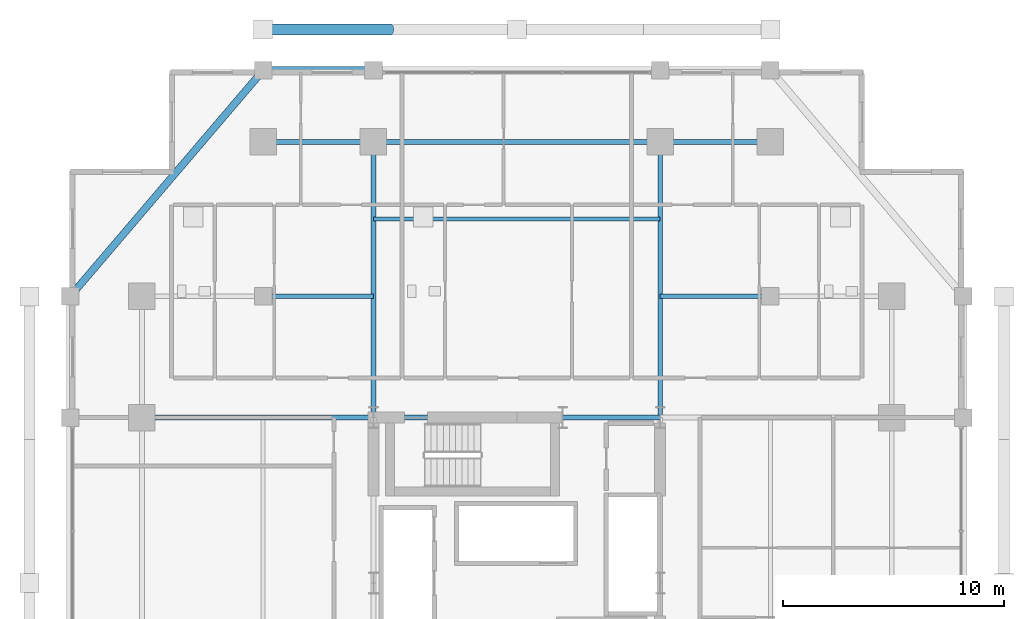
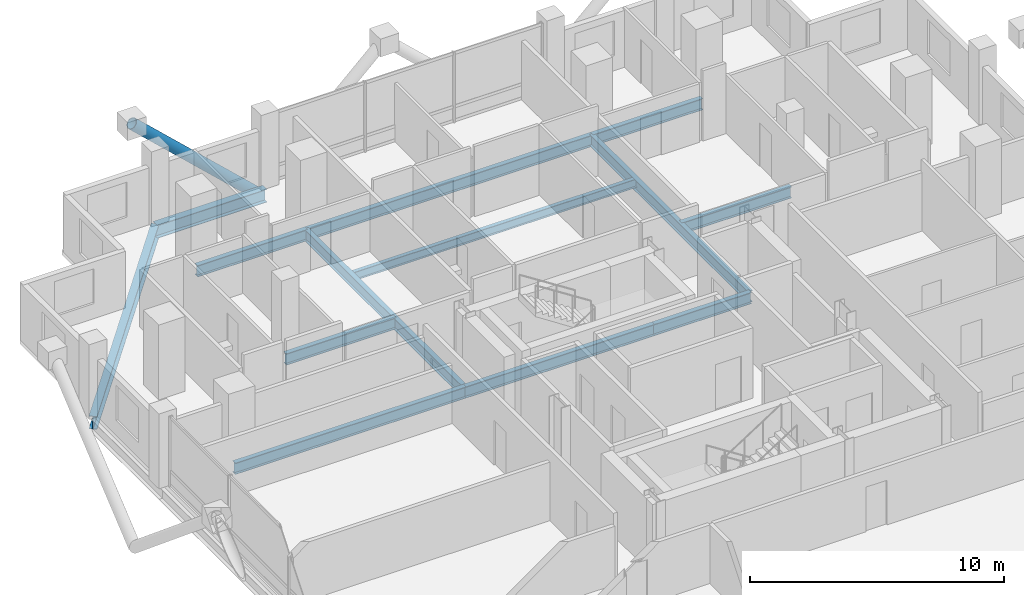
# One storey, part 12 of 22: 13 beams, 1 member.
"""IFC4 building model written with IfcOpenShell, lengths in metres."""

from ifc_helpers import new_model, si_unit, direction, frame, origin, origin_2d, place, context, subcontext, project, spatial, hollow_circle, i_section, extrude, material, material_profile, profile_set, type_object, element, save


model = new_model("IFC4")

# Units and contexts
model_context = context("Model", 3, precision=1e-05, world=origin(), true_north=direction((0.0, 1.0)))
body_context = subcontext(model_context, "Body", "Model", "MODEL_VIEW")
ifc_project = project(units=[si_unit("LENGTHUNIT", "METRE"), si_unit("AREAUNIT", "SQUARE_METRE"), si_unit("VOLUMEUNIT", "CUBIC_METRE"), si_unit("PLANEANGLEUNIT", "RADIAN"), si_unit("MASSUNIT", "GRAM", prefix="KILO")], contexts=[model_context])

# Site, building, storey
site_placement = place(None, origin())
site = spatial("IfcSite", under=ifc_project, at=site_placement, CompositionType="ELEMENT")
building_placement = place(site_placement, origin())
building = spatial("IfcBuilding", under=site, at=building_placement, Name="Barlavira Tower and Art Museum", CompositionType="ELEMENT")
storey_placement = place(building_placement, frame((0.0, 0.0, 106.199951171875)))
storey = spatial("IfcBuildingStorey", under=building, at=storey_placement, Name="L26", CompositionType="ELEMENT", Elevation=106.199951171875)

# Member
ifc_material = material(Name="Steel S355", Category="steel")
ifc_material_profile_1 = material_profile(ifc_material, hollow_circle(Radius=0.25390625, WallThickness=0.022216796875, at=origin_2d()), Name="CHS 508.0x22.2")
ifc_profile_set_1 = profile_set([ifc_material_profile_1], Name="Steel S355")
member_type = type_object("IfcMemberType", Name="Pale-Metal Exoskeleton Diagrid Tube CHS 508x22 Steel S355", PredefinedType="BRACE", material=ifc_profile_set_1)
member_placement = place(storey_placement, frame((-5.75, 25.10009765625, -1.919921875), z_axis=(-0.728950095515, 0.0, 0.684566839869), x_axis=(0.0, -1.0, 0.0)))
element("IfcMember", 1, at=member_placement, inside=storey, type_object=member_type, Name="L26 Exoskeleton Diagrid Tube N", PredefinedType="BRACE", context=body_context, shape_type="SweptSolid", body=[
    extrude(hollow_circle(Radius=0.25390625, WallThickness=0.022216796875, at=origin_2d()), origin(), (0.0, 0.0, 1.0), 7.887939453125),
])

# Beams
ifc_material_profile_2 = material_profile(ifc_material, i_section(OverallWidth=0.327880859375, OverallDepth=0.62890625, WebThickness=0.013916015625, FlangeThickness=0.021484375, at=origin_2d()), Name="W610x174.0")
ifc_profile_set_2 = profile_set([ifc_material_profile_2], Name="Steel S355")
beam_type_1 = type_object("IfcBeamType", Name="Perimeter Spandrel Edge Beam W610x174 Steel S355", PredefinedType="SPANDREL", material=ifc_profile_set_2)
beam_1_placement = place(storey_placement, frame((-11.5, 23.25, -0.534423828125), z_axis=(1.0, 0.0, 0.0), x_axis=(0.0, 1.0, 0.0)))
element("IfcBeam", 2, at=beam_1_placement, inside=storey, type_object=beam_type_1, Name="L26 Spandrel 11", PredefinedType="SPANDREL", context=body_context, shape_type="SweptSolid", body=[
    extrude(i_section(OverallWidth=0.327880859375, OverallDepth=0.62890625, WebThickness=0.013916015625, FlangeThickness=0.021484375, at=origin_2d()), origin(), (0.0, 0.0, 1.0), 5.0),
])
beam_2_placement = place(storey_placement, frame((-11.5, 23.25, -0.534423828125), z_axis=(-0.649262379928, -0.760564502202, 0.0), x_axis=(0.760564502202, -0.649262379928, 0.0)))
element("IfcBeam", 3, at=beam_2_placement, inside=storey, type_object=beam_type_1, Name="L26 Spandrel 12", PredefinedType="SPANDREL", context=body_context, shape_type="SweptSolid", body=[
    extrude(i_section(OverallWidth=0.327880859375, OverallDepth=0.62890625, WebThickness=0.013916015625, FlangeThickness=0.021484375, at=origin_2d()), origin(), (0.0, 0.0, 1.0), 13.476806640625),
])
ifc_material_profile_3 = material_profile(ifc_material, i_section(OverallWidth=0.214111328125, OverallDepth=0.549072265625, WebThickness=0.0146484375, FlangeThickness=0.023681640625, at=origin_2d()), Name="W530x138.0")
ifc_profile_set_3 = profile_set([ifc_material_profile_3], Name="Steel S355")
beam_type_2 = type_object("IfcBeamType", Name="Zone 1 Primary Floor Girder W530x138 Steel S355", PredefinedType="BEAM", material=ifc_profile_set_3)
beam_3_placement = place(storey_placement, frame((-6.5, 7.5, -0.494384765625), z_axis=(1.0, 0.0, 0.0), x_axis=(0.0, 1.0, 0.0)))
element("IfcBeam", 4, at=beam_3_placement, inside=storey, type_object=beam_type_2, Name="L26 Girder C-N1", PredefinedType="BEAM", context=body_context, shape_type="SweptSolid", body=[
    extrude(i_section(OverallWidth=0.214111328125, OverallDepth=0.549072265625, WebThickness=0.0146484375, FlangeThickness=0.023681640625, at=origin_2d()), origin(), (0.0, 0.0, 1.0), 8.580078125),
])
beam_4_placement = place(storey_placement, frame((2.080078125, 7.5, -0.494384765625), z_axis=(1.0, 0.0, 0.0), x_axis=(0.0, 1.0, 0.0)))
element("IfcBeam", 5, at=beam_4_placement, inside=storey, type_object=beam_type_2, Name="L26 Girder C-N2", PredefinedType="BEAM", context=body_context, shape_type="SweptSolid", body=[
    extrude(i_section(OverallWidth=0.214111328125, OverallDepth=0.549072265625, WebThickness=0.0146484375, FlangeThickness=0.023681640625, at=origin_2d()), origin(), (0.0, 0.0, 1.0), 4.419921875),
])
beam_5_placement = place(storey_placement, frame((-11.5, 20.0, -0.494384765625), z_axis=(1.0, 0.0, 0.0), x_axis=(0.0, 1.0, 0.0)))
element("IfcBeam", 6, at=beam_5_placement, inside=storey, type_object=beam_type_2, Name="L26 Girder M-N1", PredefinedType="BEAM", context=body_context, shape_type="SweptSolid", body=[
    extrude(i_section(OverallWidth=0.214111328125, OverallDepth=0.549072265625, WebThickness=0.0146484375, FlangeThickness=0.023681640625, at=origin_2d()), origin(), (0.0, 0.0, 1.0), 5.0),
])
beam_6_placement = place(storey_placement, frame((-6.5, 20.0, -0.494384765625), z_axis=(1.0, 0.0, 0.0), x_axis=(0.0, 1.0, 0.0)))
element("IfcBeam", 7, at=beam_6_placement, inside=storey, type_object=beam_type_2, Name="L26 Girder M-N2", PredefinedType="BEAM", context=body_context, shape_type="SweptSolid", body=[
    extrude(i_section(OverallWidth=0.214111328125, OverallDepth=0.549072265625, WebThickness=0.0146484375, FlangeThickness=0.023681640625, at=origin_2d()), origin(), (0.0, 0.0, 1.0), 13.0),
])
beam_7_placement = place(storey_placement, frame((6.5, 20.0, -0.494384765625), z_axis=(1.0, 0.0, 0.0), x_axis=(0.0, 1.0, 0.0)))
element("IfcBeam", 8, at=beam_7_placement, inside=storey, type_object=beam_type_2, Name="L26 Girder M-N3", PredefinedType="BEAM", context=body_context, shape_type="SweptSolid", body=[
    extrude(i_section(OverallWidth=0.214111328125, OverallDepth=0.549072265625, WebThickness=0.0146484375, FlangeThickness=0.023681640625, at=origin_2d()), origin(), (0.0, 0.0, 1.0), 5.0),
])
for number, where, z_axis, x_axis, name in (
    (9, (-6.5, 7.5, -0.494384765625), (0.0, 1.0, 0.0), (-1.0, 0.0, 0.0), "L26 Girder R-N1"),
    (10, (6.5, 7.5, -0.494384765625), (0.0, 1.0, 0.0), (-1.0, 0.0, 0.0), "L26 Girder R-N2"),
):
    element("IfcBeam", number, at=place(storey_placement, frame(where, z_axis=z_axis, x_axis=x_axis)), inside=storey, type_object=beam_type_2, Name=name, PredefinedType="BEAM", context=body_context, shape_type="SweptSolid", body=[
        extrude(i_section(OverallWidth=0.214111328125, OverallDepth=0.549072265625, WebThickness=0.0146484375, FlangeThickness=0.023681640625, at=origin_2d()), origin(), (0.0, 0.0, 1.0), 12.5),
    ])
beam_8_placement = place(storey_placement, frame((-17.0, 7.5, -0.494384765625), z_axis=(1.0, 0.0, 0.0), x_axis=(0.0, 1.0, 0.0)))
element("IfcBeam", 11, at=beam_8_placement, inside=storey, type_object=beam_type_2, Name="L26 Girder R-W2", PredefinedType="BEAM", context=body_context, shape_type="SweptSolid", body=[
    extrude(i_section(OverallWidth=0.214111328125, OverallDepth=0.549072265625, WebThickness=0.0146484375, FlangeThickness=0.023681640625, at=origin_2d()), origin(), (0.0, 0.0, 1.0), 10.5),
])
for number, where, z_axis, x_axis, name in (
    (12, (-11.5, 13.0, -0.494384765625), (1.0, 0.0, 0.0), (0.0, 1.0, 0.0), "L26 Girder I-N2"),
    (13, (6.5, 13.0, -0.494384765625), (1.0, 0.0, 0.0), (0.0, 1.0, 0.0), "L26 Girder I-N3"),
):
    element("IfcBeam", number, at=place(storey_placement, frame(where, z_axis=z_axis, x_axis=x_axis)), inside=storey, type_object=beam_type_2, Name=name, PredefinedType="BEAM", context=body_context, shape_type="SweptSolid", body=[
        extrude(i_section(OverallWidth=0.214111328125, OverallDepth=0.549072265625, WebThickness=0.0146484375, FlangeThickness=0.023681640625, at=origin_2d()), origin(), (0.0, 0.0, 1.0), 5.0),
    ])
ifc_material_profile_4 = material_profile(ifc_material, i_section(OverallWidth=0.179931640625, OverallDepth=0.4130859375, WebThickness=0.009765625, FlangeThickness=0.01611328125, at=origin_2d()), Name="W410x75.0")
ifc_profile_set_4 = profile_set([ifc_material_profile_4], Name="Steel S355")
beam_type_3 = type_object("IfcBeamType", Name="Zone 2 Composite Floor Joist W410x75 Steel S355", PredefinedType="JOIST", material=ifc_profile_set_4)
beam_9_placement = place(storey_placement, frame((-6.5, 16.5, -0.426513671875), z_axis=(1.0, 0.0, 0.0), x_axis=(0.0, 1.0, 0.0)))
element("IfcBeam", 14, at=beam_9_placement, inside=storey, type_object=beam_type_3, Name="L26 Joist C2", PredefinedType="JOIST", context=body_context, shape_type="SweptSolid", body=[
    extrude(i_section(OverallWidth=0.179931640625, OverallDepth=0.4130859375, WebThickness=0.009765625, FlangeThickness=0.01611328125, at=origin_2d()), origin(), (0.0, 0.0, 1.0), 13.0),
])

save(model, "model.ifc")
